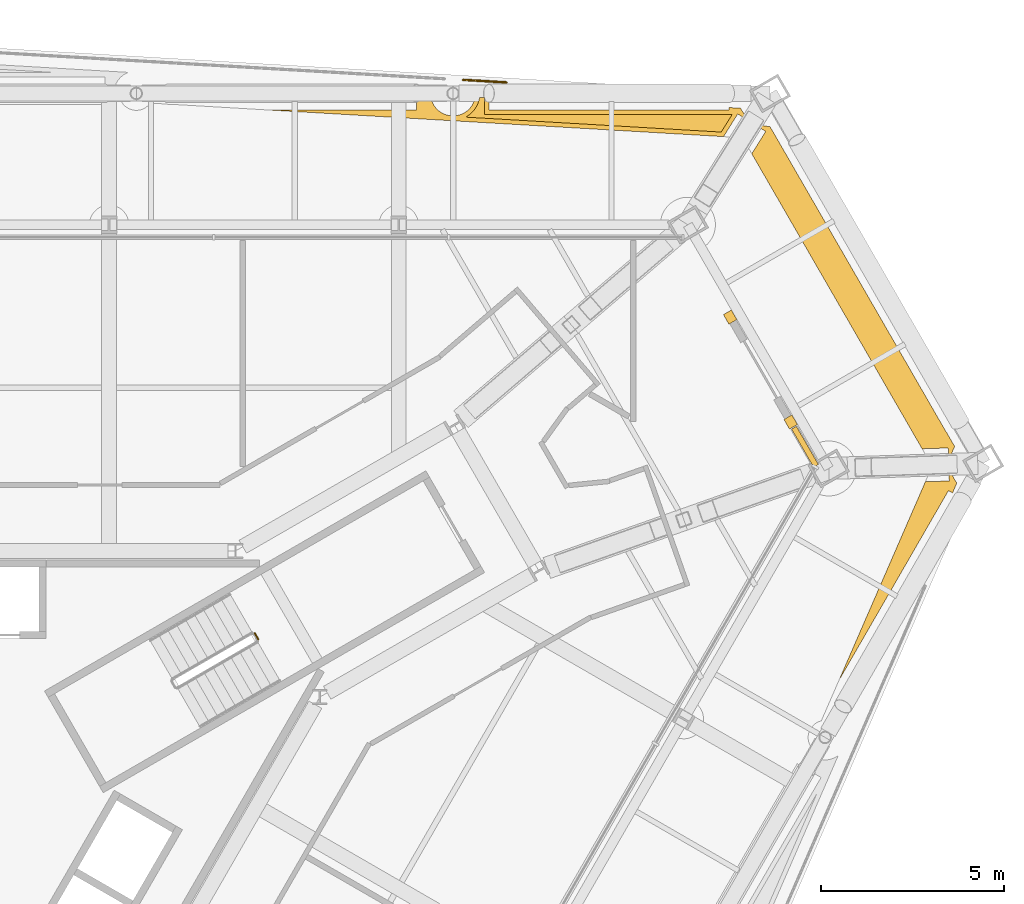
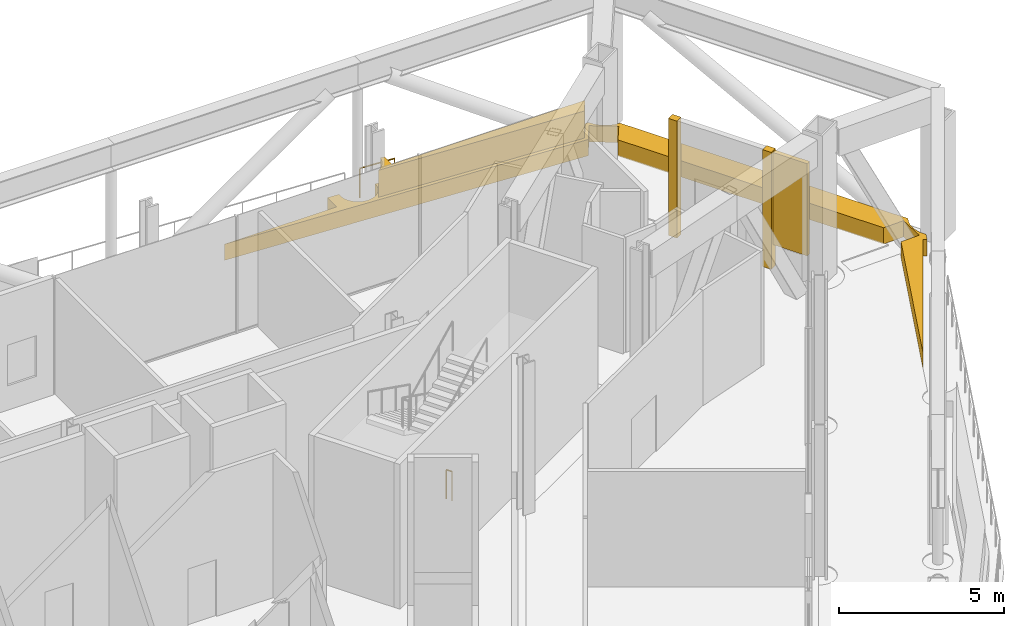
# One storey, part 26 of 26: 5 coverings, 2 railings.
"""IFC4 building model written with IfcOpenShell, lengths in metres."""

import ifcopenshell
import ifcopenshell.guid

model = None  # the IFC model being written
_history = None  # IfcOwnerHistory: only IFC2X3 demands one
_inside = {}  # id of a spatial element -> (the spatial element, [elements in it])
_under = {}  # id of a project, library or spatial element -> (it, [spatial elements below it])
_declared = {}  # id of a project -> (the project, [libraries it declares])
_typed = {}  # id of a type object -> (the type object, [elements of that type])
_made_of = {}  # id of a material, layer set ... -> (it, [elements and type objects made of it])


def new_model(schema):
    """Start an empty IFC model of exactly this schema.

    Asked for "IFC4X3", IfcOpenShell would pick the latest addendum, in which some entities
    have other attributes; the version numbers below select the first issue.
    IFC2X3 requires an IfcOwnerHistory on every rooted entity: one is made here for all.
    """
    global model, _history
    if schema == "IFC4X3":
        model = ifcopenshell.file(schema_version=(4, 3, 0, 0))
    else:
        model = ifcopenshell.file(schema=schema)
    _inside.clear()
    _under.clear()
    _declared.clear()
    _typed.clear()
    _made_of.clear()
    _history = None
    if model.schema == "IFC2X3":
        org = make("IfcOrganization", Name="unknown")
        user = make(
            "IfcPersonAndOrganization",
            ThePerson=make("IfcPerson", FamilyName="unknown"),
            TheOrganization=org,
        )
        app = make(
            "IfcApplication",
            ApplicationDeveloper=org,
            Version="unknown",
            ApplicationFullName="unknown",
            ApplicationIdentifier="unknown",
        )
        _history = make(
            "IfcOwnerHistory",
            OwningUser=user,
            OwningApplication=app,
            ChangeAction="ADDED",
            CreationDate=0,
        )
    return model


def make(cls, **values):
    """One entity of the class cls with the attributes given. An attribute that is None is left unset."""
    return model.create_entity(
        cls, **{name: value for name, value in values.items() if value is not None}
    )


def rooted(cls, **values):
    """An entity with a GlobalId (a new one), such as an element, a storey or a relation."""
    return make(cls, GlobalId=ifcopenshell.guid.new(), OwnerHistory=_history, **values)


def si_unit(unit_type, name, prefix=None):
    """IfcSIUnit, for example si_unit("LENGTHUNIT", "METRE", prefix="MILLI")."""
    return make("IfcSIUnit", UnitType=unit_type, Prefix=prefix, Name=name)


def assignment(units):
    """IfcUnitAssignment: the units of a project."""
    return None if units is None else make("IfcUnitAssignment", Units=units)


def point(xyz):
    """IfcCartesianPoint."""
    return None if xyz is None else make("IfcCartesianPoint", Coordinates=xyz)


def direction(xyz):
    """IfcDirection."""
    return None if xyz is None else make("IfcDirection", DirectionRatios=xyz)


def frame(location, z_axis=None, x_axis=None):
    """IfcAxis2Placement3D, a coordinate frame: its origin and axes. An axis left out is left unset."""
    return make(
        "IfcAxis2Placement3D",
        Location=point(location),
        Axis=direction(z_axis),
        RefDirection=direction(x_axis),
    )


def frame_2d(location, x_axis=None):
    """IfcAxis2Placement2D, a coordinate frame in the plane: its origin and x axis."""
    return make(
        "IfcAxis2Placement2D", Location=point(location), RefDirection=direction(x_axis)
    )


def origin():
    """The frame at (0, 0, 0) with its axes left unset."""
    return frame((0.0, 0.0, 0.0))


def origin_2d():
    """The frame at (0, 0) in the plane with its x axis left unset."""
    return frame_2d((0.0, 0.0))


def place(relative_to, where):
    """IfcLocalPlacement: puts the frame where relative to a parent placement (None: the world)."""
    return make(
        "IfcLocalPlacement", PlacementRelTo=relative_to, RelativePlacement=where
    )


def context(
    kind, dimensions, precision=None, world=None, true_north=None, identifier=None
):
    """IfcGeometricRepresentationContext, for example the 3D "Model" context."""
    return make(
        "IfcGeometricRepresentationContext",
        ContextIdentifier=identifier,
        ContextType=kind,
        CoordinateSpaceDimension=dimensions,
        Precision=precision,
        WorldCoordinateSystem=world,
        TrueNorth=true_north,
    )


def subcontext(parent, identifier, kind, view, scale=None):
    """IfcGeometricRepresentationSubContext, for example "Body" below "Model"."""
    return make(
        "IfcGeometricRepresentationSubContext",
        ContextIdentifier=identifier,
        ContextType=kind,
        ParentContext=parent,
        TargetScale=scale,
        TargetView=view,
    )


def project(units=None, contexts=None):
    """IfcProject with its units and contexts."""
    return rooted(
        "IfcProject",
        Name="project",
        RepresentationContexts=contexts,
        UnitsInContext=assignment(units),
    )


def spatial(cls, under=None, at=None, **own):
    """A site, building, storey or space (cls), placed at a placement, below another one or the project."""
    s = rooted(cls, ObjectPlacement=at, **own)
    if under is not None:
        _under.setdefault(under.id(), (under, []))[1].append(s)
    return s


def polyline(points):
    """IfcPolyline through the points."""
    return make("IfcPolyline", Points=[point(p) for p in points])


def profile(cls, at=None, kind="AREA", **sizes):
    """A parametric profile (cls). Its sizes go by their IFC names, for example OverallWidth=200.0."""
    return make(cls, ProfileType=kind, Position=at, **sizes)


def rectangle(**sizes):
    """IfcRectangleProfileDef."""
    return profile("IfcRectangleProfileDef", **sizes)


def circle(**sizes):
    """IfcCircleProfileDef."""
    return profile("IfcCircleProfileDef", **sizes)


def outline(outer, holes=None, kind="AREA"):
    """IfcArbitraryClosedProfileDef: a profile drawn as a closed curve; with holes, ...WithVoids."""
    if holes is None:
        return make("IfcArbitraryClosedProfileDef", ProfileType=kind, OuterCurve=outer)
    return make(
        "IfcArbitraryProfileDefWithVoids",
        ProfileType=kind,
        OuterCurve=outer,
        InnerCurves=holes,
    )


def extrude(swept, where, along, depth):
    """IfcExtrudedAreaSolid: the profile swept, set in the frame where, extruded along a direction by depth."""
    return make(
        "IfcExtrudedAreaSolid",
        SweptArea=swept,
        Position=where,
        ExtrudedDirection=direction(along),
        Depth=depth,
    )


def shape(context_of_items, identifier, shape_type, items):
    """IfcShapeRepresentation: the items that make up one representation, for example the "Body"."""
    return make(
        "IfcShapeRepresentation",
        ContextOfItems=context_of_items,
        RepresentationIdentifier=identifier,
        RepresentationType=shape_type,
        Items=items,
    )


def material(Name=None, Category=None):
    """IfcMaterial."""
    return make("IfcMaterial", Name=Name, Category=Category)


def layer(
    of_material, thickness, ventilated=None, Name=None, Category=None, Priority=None
):
    """IfcMaterialLayer: one layer of a wall or slab, of a material (None: an air gap)."""
    return make(
        "IfcMaterialLayer",
        Material=of_material,
        LayerThickness=thickness,
        IsVentilated=ventilated,
        Name=Name,
        Category=Category,
        Priority=Priority,
    )


def layer_set(layers, Name=None):
    """IfcMaterialLayerSet."""
    return make("IfcMaterialLayerSet", MaterialLayers=layers, LayerSetName=Name)


def made_of(thing, what):
    """Note that an element or type object is made of a material, layer set ...; save() writes the relation."""
    if what is not None:
        _made_of.setdefault(what.id(), (what, []))[1].append(thing)
    return thing


def type_object(cls, material=None, **own):
    """A type object (cls), such as IfcWallType, which elements share."""
    return made_of(rooted(cls, **own), material)


def element(
    cls,
    number,
    at=None,
    inside=None,
    cuts=None,
    type_object=None,
    material=None,
    context=None,
    identifier="Body",
    shape_type=None,
    held_by="IfcProductDefinitionShape",
    body=None,
    shapes=None,
    **own,
):
    """One element of the class cls, such as IfcWall. Its Tag is "e" and its number.

    at: its placement. inside: the storey or other place that contains it. cuts: it is an
    opening in that element (IfcRelVoidsElement). A single representation is given by context,
    identifier, shape_type and body (its items); several are given by shapes. held_by: the class
    of the entity that holds the representations. save() writes the other relations.
    """
    e = rooted(cls, Tag="e%d" % number, ObjectPlacement=at, **own)
    if body is not None:
        shapes = [shape(context, identifier, shape_type, body)]
    if shapes is not None:
        e.Representation = make(held_by, Representations=shapes)
    if inside is not None:
        _inside.setdefault(inside.id(), (inside, []))[1].append(e)
    if cuts is not None:
        rooted(
            "IfcRelVoidsElement", RelatingBuildingElement=cuts, RelatedOpeningElement=e
        )
    if type_object is not None:
        _typed.setdefault(type_object.id(), (type_object, []))[1].append(e)
    return made_of(e, material)


def aggregate(whole, parts):
    """IfcRelAggregates: a whole, such as a stair, and the parts it consists of."""
    return rooted("IfcRelAggregates", RelatingObject=whole, RelatedObjects=parts)


def save(model, path):
    """Write the relations noted so far, then the file.

    IfcRelAggregates (storeys below a building ...), IfcRelContainedInSpatialStructure (elements
    in a storey), IfcRelDefinesByType, IfcRelAssociatesMaterial and IfcRelDeclares: one each for
    every whole, place, type object, material and project.
    """
    for whole, parts in _under.values():
        aggregate(whole, parts)
    for where, things in _inside.values():
        rooted(
            "IfcRelContainedInSpatialStructure",
            RelatedElements=things,
            RelatingStructure=where,
        )
    for kind, things in _typed.values():
        rooted("IfcRelDefinesByType", RelatedObjects=things, RelatingType=kind)
    for what, things in _made_of.values():
        rooted("IfcRelAssociatesMaterial", RelatedObjects=things, RelatingMaterial=what)
    for by, libraries in _declared.values():
        rooted("IfcRelDeclares", RelatingContext=by, RelatedDefinitions=libraries)
    model.write(path)


model = new_model("IFC4")

# Units and contexts
model_context = context("Model", 3, precision=1e-05, world=origin(), true_north=direction((0.0, 1.0)))
body_context = subcontext(model_context, "Body", "Model", "MODEL_VIEW")
ifc_project = project(units=[si_unit("LENGTHUNIT", "METRE"), si_unit("AREAUNIT", "SQUARE_METRE"), si_unit("VOLUMEUNIT", "CUBIC_METRE"), si_unit("PLANEANGLEUNIT", "RADIAN"), si_unit("MASSUNIT", "GRAM", prefix="KILO")], contexts=[model_context])

# Site, building, storey
site_placement = place(None, origin())
site = spatial("IfcSite", under=ifc_project, at=site_placement, CompositionType="ELEMENT")
building_placement = place(site_placement, origin())
building = spatial("IfcBuilding", under=site, at=building_placement, Name="Verrane Prism Tower", CompositionType="ELEMENT")
storey_placement = place(building_placement, frame((0.0, 0.0, 87.199951171875)))
storey = spatial("IfcBuildingStorey", under=building, at=storey_placement, Name="L20", CompositionType="ELEMENT", Elevation=87.199951171875)

# Coverings
ifc_material_1 = material(Name="Anodised aluminium louvre blades", Category="aluminium")
ifc_layer = layer(ifc_material_1, 0.14990234375)
ifc_layer_set = layer_set([ifc_layer], Name="Louvre screen 150")
covering_type_1 = type_object("IfcCoveringType", Name="Louvre screen 150", PredefinedType="USERDEFINED", material=ifc_layer_set)
covering_1_placement = place(storey_placement, frame((26.851318359375, 12.0419921875, 0.900146484375), z_axis=(0.0, 0.0, 1.0), x_axis=(-0.500003022996, 0.86602365845, 0.0)))
element("IfcCovering", 1, at=covering_1_placement, inside=storey, type_object=covering_type_1, Name="Louvre screen north-east corner L20 1", ObjectType="LOUVRE SCREEN", PredefinedType="USERDEFINED", context=body_context, shape_type="SweptSolid", body=[
    extrude(rectangle(XDim=1.19677734375, YDim=0.14990234375, at=origin_2d()), origin(), (0.0, 0.0, 1.0), 3.40234375),
])
ifc_material_2 = material(Name="Planting medium in stone kerb", Category="masonry")
covering_type_2 = type_object("IfcCoveringType", Name="Planter bed 600", PredefinedType="USERDEFINED", material=ifc_material_2)
covering_2_placement = place(storey_placement, origin())
element("IfcCovering", 2, at=covering_2_placement, inside=storey, type_object=covering_type_2, Name="Planter bed L20 1", ObjectType="PLANTER", PredefinedType="USERDEFINED", context=body_context, shape_type="SweptSolid", body=[
    extrude(outline(polyline([(16.260986328125, 21.782958984375), (16.260986328125, 21.219970703125), (12.332275390625, 21.219970703125), (12.33203125, 21.21142578125), (24.632080078125, 20.49169921875), (25.018798828125, 21.110107421875), (25.78173828125, 20.6328125), (25.401611328125, 20.025390625), (30.0439453125, 11.98486328125), (30.75439453125, 12.008544921875), (30.7841796875, 11.10888671875), (30.1318359375, 11.08740234375), (27.797607421875, 5.7236328125), (27.803955078125, 5.720458984375), (30.76123046875, 10.84619140625), (30.871826171875, 10.78271484375), (30.9892578125, 11.052734375), (30.961669921875, 11.090087890625), (30.916259765625, 11.165771484375), (30.87841796875, 11.24560546875), (30.848876953125, 11.32861328125), (30.827392578125, 11.414306640625), (30.814208984375, 11.501708984375), (30.81005859375, 11.590087890625), (30.814208984375, 11.67822265625), (30.827392578125, 11.765625), (30.848876953125, 11.851318359375), (30.87841796875, 11.934326171875), (30.916259765625, 12.014404296875), (30.933837890625, 12.04345703125), (30.69287109375, 12.460693359375), (30.689697265625, 12.458740234375), (28.18310546875, 16.8076171875), (25.8955078125, 20.770263671875), (25.811767578125, 20.7744140625), (25.724365234375, 20.787353515625), (25.638671875, 20.808837890625), (25.5556640625, 20.83837890625), (25.4755859375, 20.876220703125), (25.39990234375, 20.921630859375), (25.3291015625, 20.974365234375), (25.263671875, 21.03369140625), (25.204345703125, 21.09912109375), (25.151611328125, 21.169921875), (25.106201171875, 21.24560546875), (25.0966796875, 21.26611328125), (24.781005859375, 21.284423828125), (24.781005859375, 21.219970703125), (18.239013671875, 21.219970703125), (18.239013671875, 21.667236328125), (17.87158203125, 21.688720703125), (17.87255859375, 21.669921875), (17.86962890625, 21.610107421875), (17.86083984375, 21.550537109375), (17.84619140625, 21.4921875), (17.825927734375, 21.435546875), (17.80029296875, 21.381103515625), (17.769287109375, 21.32958984375), (17.7333984375, 21.281494140625), (17.693115234375, 21.23681640625), (17.648681640625, 21.196533203125), (17.600341796875, 21.16064453125), (17.548828125, 21.1298828125), (17.494384765625, 21.10400390625), (17.437744140625, 21.083740234375), (17.37939453125, 21.069091796875), (17.320068359375, 21.060302734375), (17.260009765625, 21.057373046875), (17.199951171875, 21.060302734375), (17.140380859375, 21.069091796875), (17.082275390625, 21.083740234375), (17.025634765625, 21.10400390625), (16.97119140625, 21.1298828125), (16.919677734375, 21.16064453125), (16.871337890625, 21.196533203125), (16.826904296875, 21.23681640625), (16.78662109375, 21.281494140625), (16.750732421875, 21.32958984375), (16.7197265625, 21.381103515625), (16.694091796875, 21.435546875), (16.673828125, 21.4921875), (16.6591796875, 21.550537109375), (16.650390625, 21.610107421875), (16.6474609375, 21.669921875), (16.650390625, 21.72998046875), (16.65478515625, 21.760009765625), (16.260986328125, 21.782958984375)])), origin(), (0.0, 0.0, 1.0), 0.60009765625),
])
ifc_material_3 = material(Name="Planted shrubs and grasses", Category="other")
covering_type_3 = type_object("IfcCoveringType", Name="Planting mass 1000", PredefinedType="USERDEFINED", material=ifc_material_3)
covering_3_placement = place(storey_placement, frame((0.0, 0.0, 0.60009765625)))
element("IfcCovering", 3, at=covering_3_placement, inside=storey, type_object=covering_type_3, Name="Planting L20 1", ObjectType="PLANTING", PredefinedType="USERDEFINED", context=body_context, shape_type="SweptSolid", body=[
    extrude(outline(polyline([(24.568115234375, 20.61572265625), (24.87109375, 21.10009765625), (18.118896484375, 21.10009765625), (18.118896484375, 21.553955078125), (17.98388671875, 21.56201171875), (17.978515625, 21.527099609375), (17.961181640625, 21.457275390625), (17.93701171875, 21.3896484375), (17.90625, 21.32470703125), (17.869140625, 21.262939453125), (17.826416015625, 21.205078125), (17.778076171875, 21.15185546875), (17.724853515625, 21.103515625), (17.6669921875, 21.060791015625), (17.60546875, 21.023681640625), (17.60400390625, 21.023193359375), (24.568115234375, 20.61572265625)])), origin(), (0.0, 0.0, 1.0), 1.0),
])

# Railing
ifc_material_4 = material(Name="Steel A36 rail and posts, no infill", Category="steel")
railing_type_1 = type_object("IfcRailingType", Name="Stair guard 1100 steel rail and posts", PredefinedType="GUARDRAIL", material=ifc_material_4)
railing_1_placement = place(storey_placement, frame((11.85791015625, 6.961669921875, 0.0)))
element("IfcRailing", 4, at=railing_1_placement, inside=storey, type_object=railing_type_1, Name="Stair 1 guard", PredefinedType="GUARDRAIL", context=body_context, shape_type="SweptSolid", body=[
    extrude(circle(Radius=0.02392578125, at=origin_2d()), frame((0.0, 0.0, 1.076171875), z_axis=(0.499158860599, -0.866510491504, 0.0), x_axis=(0.866510491504, 0.499158860599, 0.0)), (0.0, 0.0, 1.0), 0.199951171875),
    extrude(circle(Radius=0.02099609375, at=origin_2d()), origin(), (0.0, 0.0, 1.0), 1.052001953125),
    extrude(circle(Radius=0.02099609375, at=origin_2d()), frame((0.099853515625, -0.17333984375, 0.0)), (0.0, 0.0, 1.0), 1.052001953125),
])

# Coverings
ifc_material_5 = material(Name="Warm limestone cladding", Category="masonry")
covering_type_4 = type_object("IfcCoveringType", Name="Stone jamb pier 300", PredefinedType="CLADDING", material=ifc_material_5)
for number, where, z_axis, x_axis, name in (
    (5, (26.4619140625, 12.716064453125, 0.0), (0.0, 0.0, 1.0), (-0.500003022996, 0.86602365845, 0.0), "Stone jamb pier north-east corner L20"),
    (6, (24.81201171875, 15.573974609375, 0.0), (0.0, 0.0, 1.0), (-0.500003022996, 0.86602365845, 0.0), "Stone jamb pier north-east corner L20"),
):
    element("IfcCovering", number, at=place(storey_placement, frame(where, z_axis=z_axis, x_axis=x_axis)), inside=storey, type_object=covering_type_4, Name=name, PredefinedType="CLADDING", context=body_context, shape_type="SweptSolid", body=[
        extrude(rectangle(XDim=0.300048828125, YDim=0.25, at=origin_2d()), origin(), (0.0, 0.0, 1.0), 4.322509765625),
    ])

# Railing
ifc_material_6 = material(Name="Stainless steel and laminated glass", Category="steel")
railing_type_2 = type_object("IfcRailingType", Name="Terrace guard 1100", PredefinedType="GUARDRAIL", material=ifc_material_6)
railing_2_placement = place(storey_placement, frame((18.7138671875, 21.969970703125, 0.0)))
element("IfcRailing", 7, at=railing_2_placement, inside=storey, type_object=railing_type_2, Name="Terrace guard L20 1", PredefinedType="GUARDRAIL", context=body_context, shape_type="SweptSolid", body=[
    extrude(circle(Radius=0.02392578125, at=origin_2d()), frame((0.0, 0.0, 1.076171875), z_axis=(-0.99828935403, 0.058466790828, 0.0), x_axis=(-0.058466790828, -0.99828935403, 0.0)), (0.0, 0.0, 1.0), 1.177490234375),
    extrude(circle(Radius=0.02099609375, at=origin_2d()), origin(), (0.0, 0.0, 1.0), 1.052001953125),
    extrude(circle(Radius=0.02099609375, at=origin_2d()), frame((-1.175537109375, 0.06884765625, 0.0)), (0.0, 0.0, 1.0), 1.052001953125),
])

save(model, "model.ifc")
